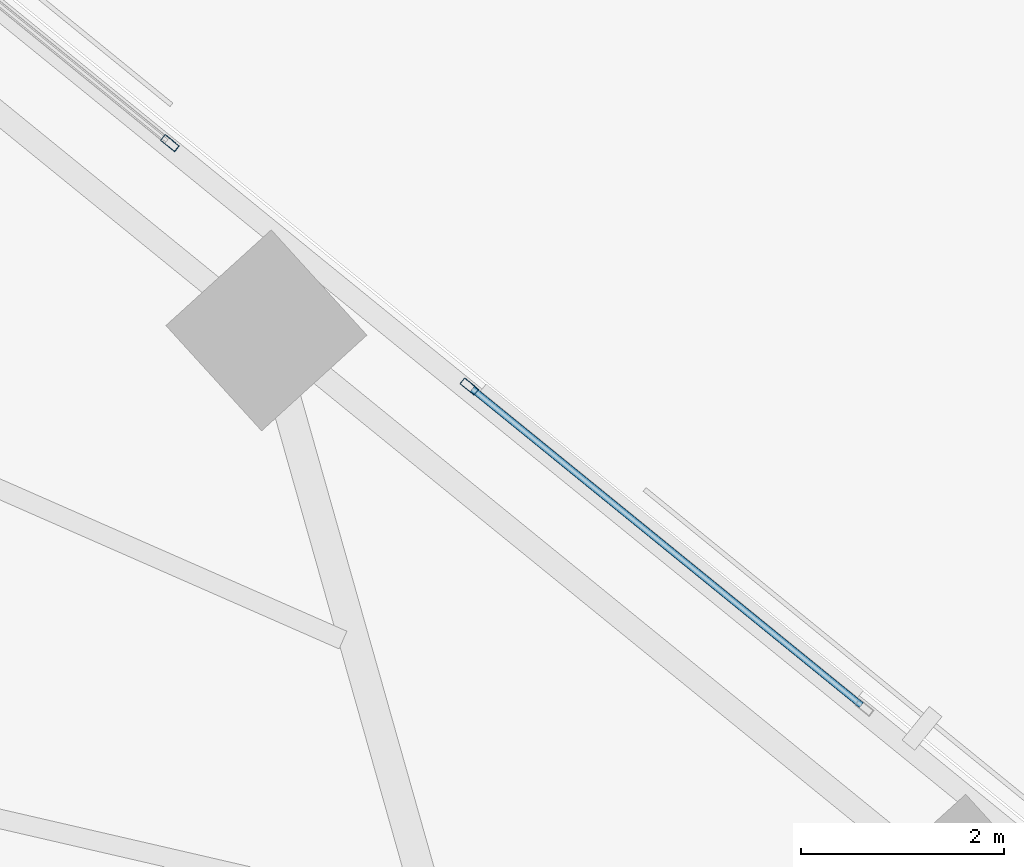
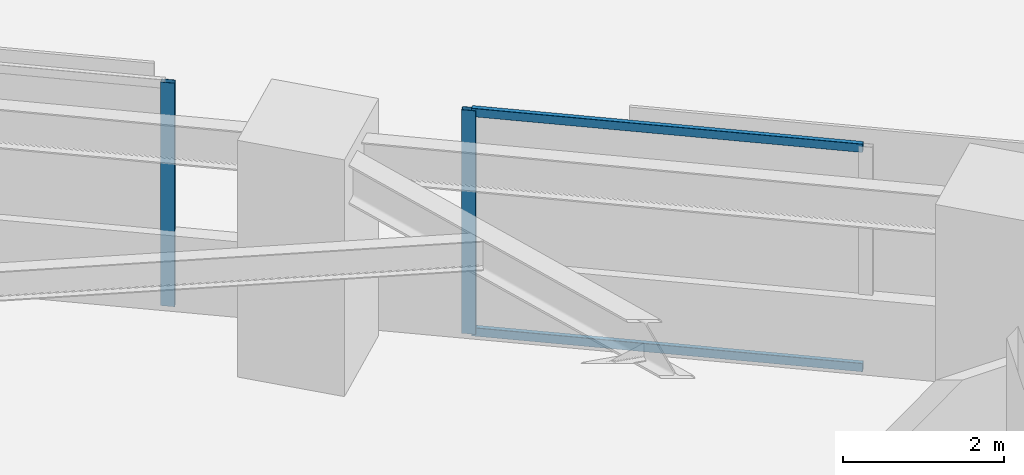
# One storey, part 10 of 19: 4 members, 2 elements without a shape of their own.
"""IFC4 building model written with IfcOpenShell, lengths in metres."""

from ifc_helpers import new_model, si_unit, direction, frame, origin, origin_2d, place, context, subcontext, project, spatial, hollow_rectangle, extrude, material, material_profile, profile_set, type_object, element, aggregate, save


model = new_model("IFC4")

# Units and contexts
model_context = context("Model", 3, precision=1e-05, world=origin(), true_north=direction((0.0, 1.0)))
body_context = subcontext(model_context, "Body", "Model", "MODEL_VIEW")
ifc_project = project(units=[si_unit("LENGTHUNIT", "METRE"), si_unit("AREAUNIT", "SQUARE_METRE"), si_unit("VOLUMEUNIT", "CUBIC_METRE"), si_unit("PLANEANGLEUNIT", "RADIAN"), si_unit("MASSUNIT", "GRAM", prefix="KILO")], contexts=[model_context])

# Site, building, storey
site_placement = place(None, origin())
site = spatial("IfcSite", under=ifc_project, at=site_placement, CompositionType="ELEMENT")
building_placement = place(site_placement, origin())
building = spatial("IfcBuilding", under=site, at=building_placement, Name="Narakoshi Arena Tower", CompositionType="ELEMENT")
storey_placement = place(building_placement, frame((0.0, 0.0, 26.699951171875)))
storey = spatial("IfcBuildingStorey", under=building, at=storey_placement, Name="L06", CompositionType="ELEMENT", Elevation=26.699951171875)

# Curtain wall, member
ifc_material = material(Name="Anodised bronze aluminium 6063-T6", Category="aluminium")
curtain_wall_type = type_object("IfcCurtainWallType", Name="CW-HYP-LOW", PredefinedType="NOTDEFINED", material=ifc_material)
curtain_wall_1_placement = place(storey_placement, origin())
curtain_wall_1 = element("IfcCurtainWall", 1, at=curtain_wall_1_placement, inside=storey, type_object=curtain_wall_type, Name="L06 Folded Hypotenuse Curtain Wall 2-2", PredefinedType="NOTDEFINED")
ifc_material_profile_1 = material_profile(ifc_material, hollow_rectangle(XDim=0.074951171875, YDim=0.179931640625, WallThickness=0.00390625, OuterFilletRadius=0.0048828125, at=origin_2d()), Name="MUL180x75x4")
ifc_profile_set_1 = profile_set([ifc_material_profile_1], Name="Anodised bronze aluminium 6063-T6")
member_type_1 = type_object("IfcMemberType", Name="MEM-MUL-180", PredefinedType="MULLION", material=ifc_profile_set_1)
member_1_placement = place(storey_placement, frame((84.623779296875, 66.285400390625, 0.0), z_axis=(0.0, 0.0, 1.0), x_axis=(-0.630734833051, -0.775998434519, 0.0)))
member_1 = element("IfcMember", 2, at=member_1_placement, type_object=member_type_1, Name="CW-01 mullion 2", PredefinedType="MULLION", context=body_context, shape_type="SweptSolid", body=[
    extrude(hollow_rectangle(XDim=0.074951171875, YDim=0.179931640625, WallThickness=0.00390625, OuterFilletRadius=0.0048828125, at=origin_2d()), origin(), (0.0, 0.0, 1.0), 3.400146484375),
])

curtain_wall_2_placement = place(storey_placement, origin())
curtain_wall_2 = element("IfcCurtainWall", 3, at=curtain_wall_2_placement, inside=storey, type_object=curtain_wall_type, Name="L06 Folded Hypotenuse Curtain Wall 2-3", PredefinedType="NOTDEFINED")
member_2_placement = place(storey_placement, frame((81.677001953125, 68.6806640625, 0.0), z_axis=(0.0, 0.0, 1.0), x_axis=(-0.630722984816, -0.776008064665, 0.0)))
member_2 = element("IfcMember", 4, at=member_2_placement, type_object=member_type_1, Name="CW-01 mullion 1", PredefinedType="MULLION", context=body_context, shape_type="SweptSolid", body=[
    extrude(hollow_rectangle(XDim=0.074951171875, YDim=0.179931640625, WallThickness=0.00390625, OuterFilletRadius=0.0048828125, at=origin_2d()), origin(), (0.0, 0.0, 1.0), 3.400146484375),
])
aggregate(curtain_wall_2, [member_2])

# Member
ifc_material_profile_2 = material_profile(ifc_material, hollow_rectangle(XDim=0.06494140625, YDim=0.1298828125, WallThickness=0.00390625, OuterFilletRadius=0.0048828125, at=origin_2d()), Name="TRN130x65x4")
ifc_profile_set_2 = profile_set([ifc_material_profile_2], Name="Anodised bronze aluminium 6063-T6")
member_type_2 = type_object("IfcMemberType", Name="MEM-TRN-130", PredefinedType="USERDEFINED", material=ifc_profile_set_2)
member_3_placement = place(storey_placement, frame((88.48046875, 63.150634765625, 0.032470703125), z_axis=(-0.776001951686, 0.630730505826, 0.0), x_axis=(-0.630730505826, -0.776001951686, 0.0)))
member_3 = element("IfcMember", 5, at=member_3_placement, type_object=member_type_2, Name="CW-01 transom 1.1", ObjectType="TRANSOM", PredefinedType="USERDEFINED", context=body_context, shape_type="SweptSolid", body=[
    extrude(hollow_rectangle(XDim=0.06494140625, YDim=0.1298828125, WallThickness=0.00390625, OuterFilletRadius=0.0048828125, at=origin_2d()), origin(), (0.0, 0.0, 1.0), 4.9326171875),
])

member_4_placement = place(storey_placement, frame((88.48046875, 63.150634765625, 3.367431640625), z_axis=(-0.776001951686, 0.630730505826, 0.0), x_axis=(-0.630730505826, -0.776001951686, 0.0)))
member_4 = element("IfcMember", 6, at=member_4_placement, type_object=member_type_2, Name="CW-01 transom 1.2", ObjectType="TRANSOM", PredefinedType="USERDEFINED", context=body_context, shape_type="SweptSolid", body=[
    extrude(hollow_rectangle(XDim=0.06494140625, YDim=0.1298828125, WallThickness=0.00390625, OuterFilletRadius=0.0048828125, at=origin_2d()), origin(), (0.0, 0.0, 1.0), 4.9326171875),
])

aggregate(curtain_wall_1, [member_1, member_3, member_4])

save(model, "model.ifc")
